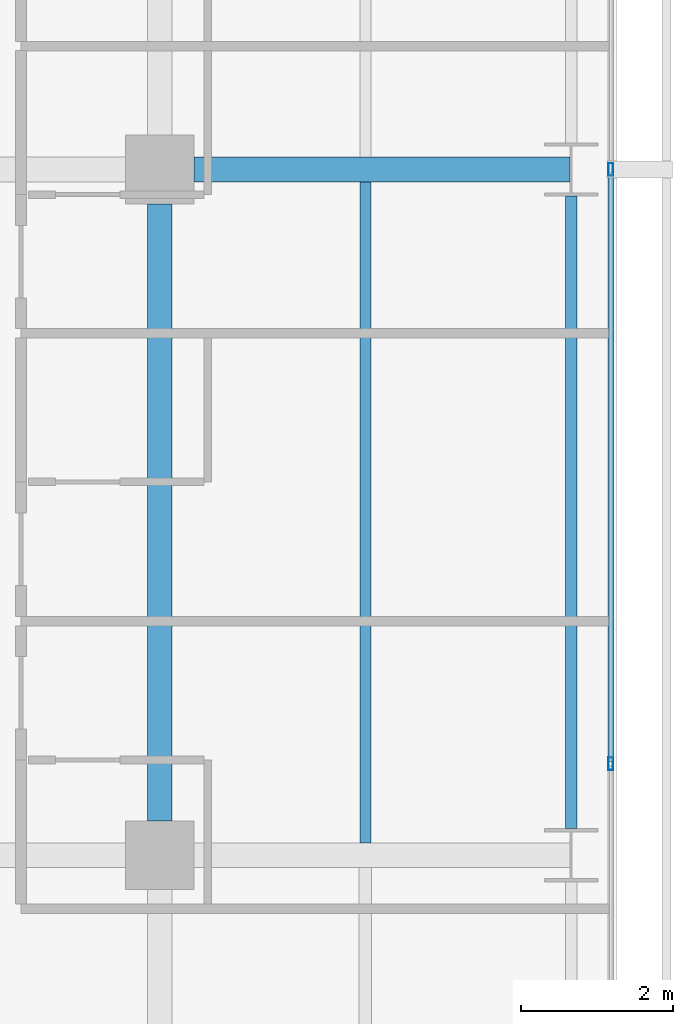
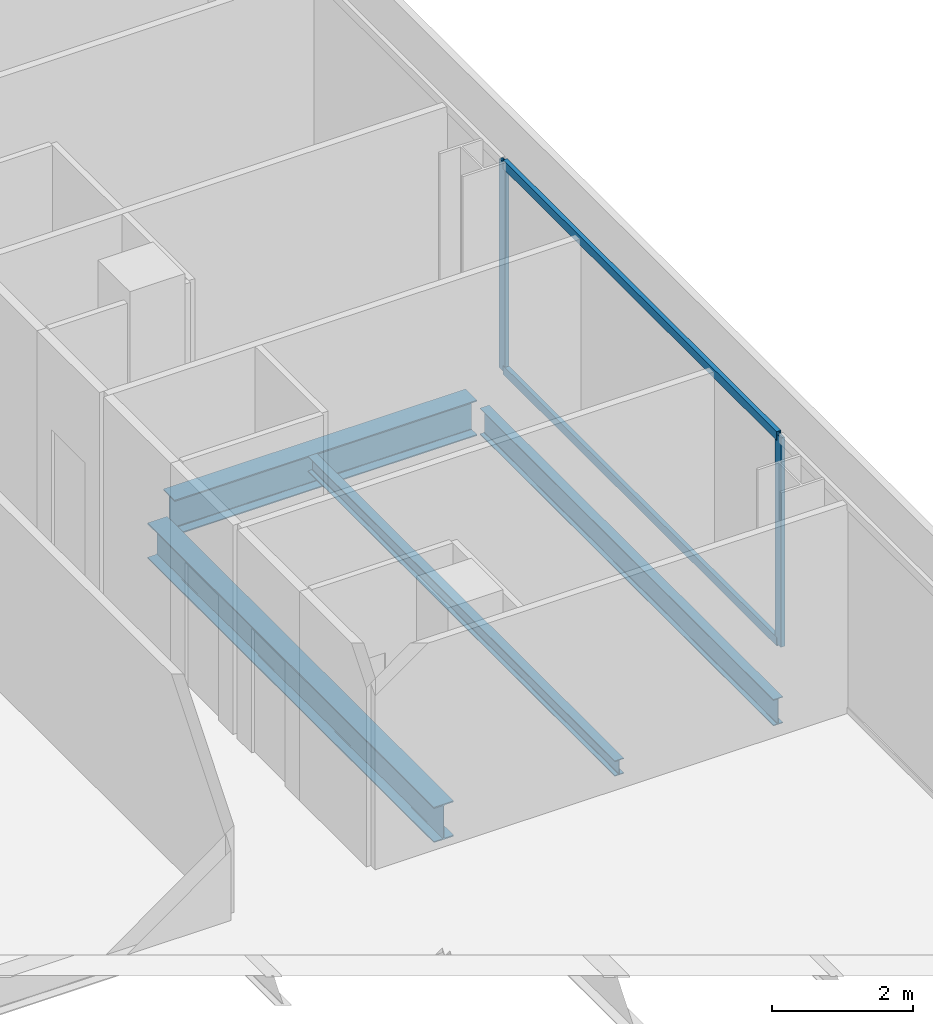
# One storey, part 19 of 40: 4 beams, 4 members, 1 element without a shape of its own.
"""IFC4 building model written with IfcOpenShell, lengths in metres."""

from ifc_helpers import new_model, si_unit, direction, frame, origin, origin_2d, place, context, subcontext, project, spatial, hollow_rectangle, i_section, extrude, material, layer, layer_set, material_profile, profile_set, type_object, element, aggregate, save


model = new_model("IFC4")

# Units and contexts
model_context = context("Model", 3, precision=1e-05, world=origin(), true_north=direction((0.0, 1.0)))
body_context = subcontext(model_context, "Body", "Model", "MODEL_VIEW")
ifc_project = project(units=[si_unit("LENGTHUNIT", "METRE"), si_unit("AREAUNIT", "SQUARE_METRE"), si_unit("VOLUMEUNIT", "CUBIC_METRE"), si_unit("PLANEANGLEUNIT", "RADIAN"), si_unit("MASSUNIT", "GRAM", prefix="KILO")], contexts=[model_context])

# Site, building, storey
site_placement = place(None, origin())
site = spatial("IfcSite", under=ifc_project, at=site_placement, CompositionType="ELEMENT")
building_placement = place(site_placement, origin())
building = spatial("IfcBuilding", under=site, at=building_placement, Name="Maruvema Waterfront Hotel and Observation Tower", CompositionType="ELEMENT")
storey_placement = place(building_placement, frame((0.0, 0.0, 100.10009765625)))
storey = spatial("IfcBuildingStorey", under=building, at=storey_placement, Name="L24", CompositionType="ELEMENT", Elevation=100.10009765625)

# Curtain wall, members
ifc_material_1 = material(Name="Anodised bronze aluminium and solar-control low-E IGU", Category="aluminium")
ifc_layer = layer(ifc_material_1, 0.159912109375, Name="Zone 1 Bronze Inner Thermal Curtain Wall System CW-02")
ifc_layer_set = layer_set([ifc_layer], Name="Anodised bronze aluminium and solar-control low-E IGU")
curtain_wall_type = type_object("IfcCurtainWallType", Name="Zone 1 Bronze Inner Thermal Curtain Wall System CW-02", PredefinedType="USERDEFINED", material=ifc_layer_set)
curtain_wall_placement = place(storey_placement, origin())
curtain_wall = element("IfcCurtainWall", 1, at=curtain_wall_placement, inside=storey, type_object=curtain_wall_type, Name="L24 Curtain Wall CW-L24-E", ObjectType="UNITISED CURTAIN WALL", PredefinedType="USERDEFINED")
ifc_material_2 = material(Name="Anodised architectural bronze aluminium", Category="aluminium")
ifc_material_profile_1 = material_profile(ifc_material_2, hollow_rectangle(XDim=0.070068359375, YDim=0.14990234375, WallThickness=0.00390625, at=origin_2d()), Name="ALU-T70x150")
ifc_profile_set_1 = profile_set([ifc_material_profile_1], Name="Anodised architectural bronze aluminium")
member_type_1 = type_object("IfcMemberType", Name="Curtain Wall Horizontal Transom ALU-T70x150", PredefinedType="USERDEFINED", material=ifc_profile_set_1)
member_1_placement = place(storey_placement, frame((64.719970703125, 19.22998046875, 0.02978515625), z_axis=(0.0, 1.0, 0.0), x_axis=(-1.0, 0.0, 0.0)))
member_1 = element("IfcMember", 2, at=member_1_placement, type_object=member_type_1, Name="CW-02 transom 3.1", ObjectType="TRANSOM", PredefinedType="USERDEFINED", context=body_context, shape_type="SweptSolid", body=[
    extrude(hollow_rectangle(XDim=0.070068359375, YDim=0.14990234375, WallThickness=0.00390625, at=origin_2d()), origin(), (0.0, 0.0, 1.0), 7.739990234375),
])
member_2_placement = place(storey_placement, frame((64.719970703125, 19.22998046875, 3.579833984375), z_axis=(0.0, 1.0, 0.0), x_axis=(-1.0, 0.0, 0.0)))
member_2 = element("IfcMember", 3, at=member_2_placement, type_object=member_type_1, Name="CW-02 transom 3.2", ObjectType="TRANSOM", PredefinedType="USERDEFINED", context=body_context, shape_type="SweptSolid", body=[
    extrude(hollow_rectangle(XDim=0.070068359375, YDim=0.14990234375, WallThickness=0.00390625, at=origin_2d()), origin(), (0.0, 0.0, 1.0), 7.739990234375),
])
ifc_material_3 = material(Name="Anodised architectural bronze aluminium", Category="aluminium")
ifc_material_profile_2 = material_profile(ifc_material_3, hollow_rectangle(XDim=0.06494140625, YDim=0.1650390625, WallThickness=0.00390625, at=origin_2d()), Name="ALU-M65x165")
ifc_profile_set_2 = profile_set([ifc_material_profile_2], Name="Anodised architectural bronze aluminium")
member_type_2 = type_object("IfcMemberType", Name="Curtain Wall Primary Mullion ALU-M65x165", PredefinedType="MULLION", material=ifc_profile_set_2)
member_3_placement = place(storey_placement, frame((64.719970703125, 19.199951171875, 0.0), z_axis=(0.0, 0.0, 1.0), x_axis=(-1.0, 0.0, 0.0)))
member_3 = element("IfcMember", 4, at=member_3_placement, type_object=member_type_2, Name="CW-02 mullion 3", PredefinedType="MULLION", context=body_context, shape_type="SweptSolid", body=[
    extrude(hollow_rectangle(XDim=0.06494140625, YDim=0.1650390625, WallThickness=0.00390625, at=origin_2d()), origin(), (0.0, 0.0, 1.0), 3.60986328125),
])
member_4_placement = place(storey_placement, frame((64.719970703125, 27.0, 0.0), z_axis=(0.0, 0.0, 1.0), x_axis=(-1.0, 0.0, 0.0)))
member_4 = element("IfcMember", 5, at=member_4_placement, type_object=member_type_2, Name="CW-02 mullion 4", PredefinedType="MULLION", context=body_context, shape_type="SweptSolid", body=[
    extrude(hollow_rectangle(XDim=0.06494140625, YDim=0.1650390625, WallThickness=0.00390625, at=origin_2d()), origin(), (0.0, 0.0, 1.0), 3.60986328125),
])
aggregate(curtain_wall, [member_3, member_4, member_1, member_2])

# Beams
ifc_material_4 = material(Name="Steel ASTM A572 Grade 50", Category="steel")
ifc_material_profile_3 = material_profile(ifc_material_4, i_section(OverallWidth=0.153076171875, OverallDepth=0.455078125, WebThickness=0.008056640625, FlangeThickness=0.01318359375, FilletRadius=0.014892578125, at=origin_2d()), Name="W460x60.0")
ifc_profile_set_3 = profile_set([ifc_material_profile_3], Name="Steel ASTM A572 Grade 50")
beam_type_1 = type_object("IfcBeamType", Name="Perimeter Spandrel Beam W460x60.0", PredefinedType="SPANDREL", material=ifc_profile_set_3)
beam_1_placement = place(storey_placement, frame((64.199951171875, 18.35009765625, -0.467529296875), z_axis=(0.0, 1.0, 0.0), x_axis=(-1.0, 0.0, 0.0)))
element("IfcBeam", 6, at=beam_1_placement, inside=storey, type_object=beam_type_1, Name="L24 Floor Girder NS-34", PredefinedType="SPANDREL", context=body_context, shape_type="SweptSolid", body=[
    extrude(i_section(OverallWidth=0.153076171875, OverallDepth=0.455078125, WebThickness=0.008056640625, FlangeThickness=0.01318359375, FilletRadius=0.014892578125, at=origin_2d()), origin(), (0.0, 0.0, 1.0), 8.2998046875),
])
ifc_material_5 = material(Name="Steel ASTM A572 Grade 50", Category="steel")
ifc_material_profile_4 = material_profile(ifc_material_5, i_section(OverallWidth=0.323974609375, OverallDepth=0.611083984375, WebThickness=0.0126953125, FlangeThickness=0.01904296875, FilletRadius=0.01806640625, at=origin_2d()), Name="W610x155.0")
ifc_profile_set_4 = profile_set([ifc_material_profile_4], Name="Steel ASTM A572 Grade 50")
beam_type_2 = type_object("IfcBeamType", Name="Primary Floor Girder W610x155.0", PredefinedType="BEAM", material=ifc_profile_set_4)
beam_2_placement = place(storey_placement, frame((59.25, 27.0, -0.545654296875), z_axis=(1.0, 0.0, 0.0), x_axis=(0.0, 1.0, 0.0)))
element("IfcBeam", 7, at=beam_2_placement, inside=storey, type_object=beam_type_2, Name="L24 Floor Girder EW-24", PredefinedType="BEAM", context=body_context, shape_type="SweptSolid", body=[
    extrude(i_section(OverallWidth=0.323974609375, OverallDepth=0.611083984375, WebThickness=0.0126953125, FlangeThickness=0.01904296875, FilletRadius=0.01806640625, at=origin_2d()), origin(), (0.0, 0.0, 1.0), 4.93603515625),
])
beam_3_placement = place(storey_placement, frame((58.800048828125, 18.449951171875, -0.545654296875), z_axis=(0.0, 1.0, 0.0), x_axis=(-1.0, 0.0, 0.0)))
element("IfcBeam", 8, at=beam_3_placement, inside=storey, type_object=beam_type_2, Name="L24 Floor Girder NS-29", PredefinedType="BEAM", context=body_context, shape_type="SweptSolid", body=[
    extrude(i_section(OverallWidth=0.323974609375, OverallDepth=0.611083984375, WebThickness=0.0126953125, FlangeThickness=0.01904296875, FilletRadius=0.01806640625, at=origin_2d()), origin(), (0.0, 0.0, 1.0), 8.10009765625),
])
ifc_material_6 = material(Name="Steel ASTM A572 Grade 50", Category="steel")
ifc_material_profile_5 = material_profile(ifc_material_6, i_section(OverallWidth=0.14794921875, OverallDepth=0.26611328125, WebThickness=0.007568359375, FlangeThickness=0.012939453125, FilletRadius=0.012939453125, at=origin_2d()), Name="W250x44.8")
ifc_profile_set_5 = profile_set([ifc_material_profile_5], Name="Steel ASTM A572 Grade 50")
beam_type_3 = type_object("IfcBeamType", Name="Secondary Floor Joist W250x44.8", PredefinedType="JOIST", material=ifc_profile_set_5)
beam_4_placement = place(storey_placement, frame((61.5, 18.162109375, -0.373046875), z_axis=(0.0, 1.0, 0.0), x_axis=(-1.0, 0.0, 0.0)))
element("IfcBeam", 9, at=beam_4_placement, inside=storey, type_object=beam_type_3, Name="L24 Secondary Floor Joist JS-22", PredefinedType="JOIST", context=body_context, shape_type="SweptSolid", body=[
    extrude(i_section(OverallWidth=0.14794921875, OverallDepth=0.26611328125, WebThickness=0.007568359375, FlangeThickness=0.012939453125, FilletRadius=0.012939453125, at=origin_2d()), origin(), (0.0, 0.0, 1.0), 8.67578125),
])

save(model, "model.ifc")
